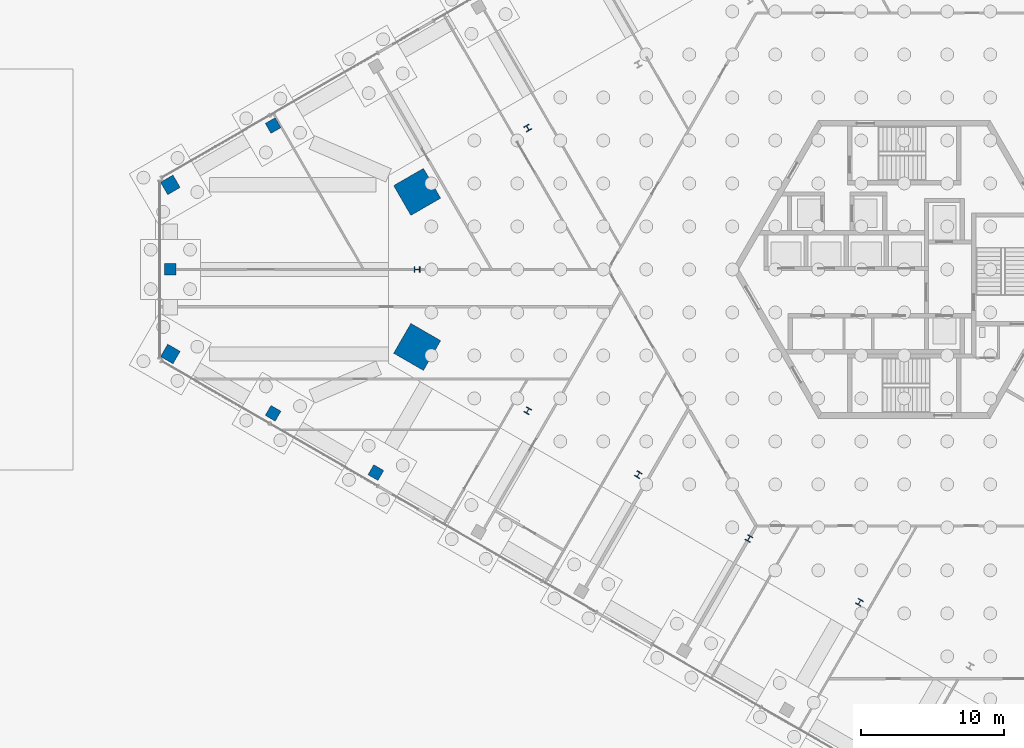
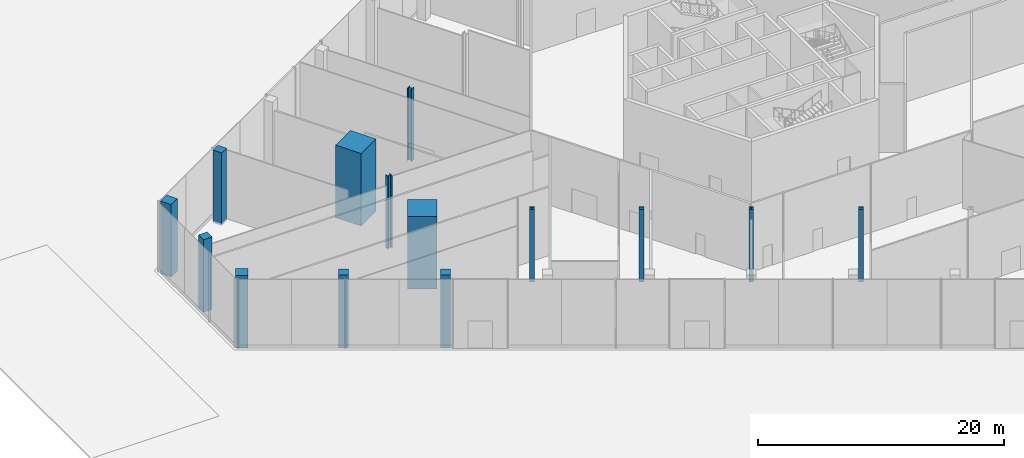
# One storey, part 4 of 27: 14 columns.
"""IFC4 building model written with IfcOpenShell, lengths in metres."""

from ifc_helpers import new_model, si_unit, direction, frame, origin, origin_2d, place, context, subcontext, project, spatial, rectangle, i_section, extrude, source, transform, mapped, material, material_profile, profile_set, type_object, element, save


model = new_model("IFC4")

# Units and contexts
model_context = context("Model", 3, precision=1e-05, world=origin(), true_north=direction((0.0, 1.0)))
body_context = subcontext(model_context, "Body", "Model", "MODEL_VIEW")
ifc_project = project(units=[si_unit("LENGTHUNIT", "METRE"), si_unit("AREAUNIT", "SQUARE_METRE"), si_unit("VOLUMEUNIT", "CUBIC_METRE"), si_unit("PLANEANGLEUNIT", "RADIAN"), si_unit("MASSUNIT", "GRAM", prefix="KILO")], contexts=[model_context])

# Site, building, storey
site_placement = place(None, origin())
site = spatial("IfcSite", under=ifc_project, at=site_placement, CompositionType="ELEMENT")
building_placement = place(site_placement, origin())
building = spatial("IfcBuilding", under=site, at=building_placement, Name="Triune Harvest Tower", CompositionType="ELEMENT")
storey_placement = place(building_placement, origin())
storey = spatial("IfcBuildingStorey", under=building, at=storey_placement, Name="L00", CompositionType="ELEMENT", Elevation=0.0)

# Columns
ifc_material_1 = material(Name="Concrete 70 MPa", Category="concrete")
ifc_material_profile_1 = material_profile(ifc_material_1, rectangle(XDim=2.39990234375, YDim=2.39990234375, at=origin_2d()), Name="Composite 2400x2400")
ifc_profile_set_1 = profile_set([ifc_material_profile_1], Name="Concrete 70 MPa")
column_type_1 = type_object("IfcColumnType", Name="MC-1 Mega column Composite 2400x2400", PredefinedType="COLUMN", material=ifc_profile_set_1)
shared_shape_1 = source(origin(), body_context, "Body", "SweptSolid", [
    extrude(rectangle(XDim=2.39990234375, YDim=2.39990234375, at=origin_2d()), origin(), (0.0, 0.0, 1.0), 7.199951171875),
])
for number, where, z_axis, x_axis, name in (
    (1, (-33.988525390625, 5.409912109375, -0.199951171875), (0.0, 0.0, 1.0), (-0.866025403784, -0.5, 0.0), "col/L00/M14"),
    (2, (-33.988525390625, -5.409912109375, -0.199951171875), (0.0, 0.0, 1.0), (0.866025403784, -0.5, 0.0), "col/L00/M16"),
):
    element("IfcColumn", number, at=place(storey_placement, frame(where, z_axis=z_axis, x_axis=x_axis)), inside=storey, type_object=column_type_1, Name=name, PredefinedType="COLUMN", context=body_context, shape_type="MappedRepresentation", body=[
        mapped(shared_shape_1, transform((0.0, 0.0, 0.0), scale=1.0)),
    ])
ifc_material_2 = material(Name="Steel ASTM A992 Gr 50", Category="steel")
ifc_material_profile_2 = material_profile(ifc_material_2, i_section(OverallWidth=0.40380859375, OverallDepth=0.406494140625, WebThickness=0.027099609375, FlangeThickness=0.043701171875, at=origin_2d()), Name="W14x233")
ifc_profile_set_2 = profile_set([ifc_material_profile_2], Name="Steel ASTM A992 Gr 50")
column_type_2 = type_object("IfcColumnType", Name="PC-1 Perimeter column W14x233", PredefinedType="COLUMN", material=ifc_profile_set_2)
shared_shape_2 = source(origin(), body_context, "Body", "SweptSolid", [
    extrude(i_section(OverallWidth=0.40380859375, OverallDepth=0.406494140625, WebThickness=0.027099609375, FlangeThickness=0.043701171875, at=origin_2d()), origin(), (0.0, 0.0, 1.0), 7.199951171875),
])
for number, where, z_axis, x_axis, name in (
    (3, (-26.272216796875, 9.864990234375, -0.199951171875), (0.0, 0.0, 1.0), (-0.866025403784, -0.5, 0.0), "col/L00/P13"),
    (4, (-33.988525390625, 0.0, -0.199951171875), (0.0, 0.0, 1.0), (0.0, -1.0, 0.0), "col/L00/P15"),
    (5, (-26.272216796875, -9.864990234375, -0.199951171875), (0.0, 0.0, 1.0), (0.866025403784, -0.5, 0.0), "col/L00/P17"),
    (6, (-18.555908203125, -14.320068359375, -0.199951171875), (0.0, 0.0, 1.0), (0.866025403784, -0.5, 0.0), "col/L00/P18"),
    (7, (-10.839599609375, -18.77490234375, -0.199951171875), (0.0, 0.0, 1.0), (0.866025403784, -0.5, 0.0), "col/L00/P19"),
    (8, (-3.12353515625, -23.22998046875, -0.199951171875), (0.0, 0.0, 1.0), (0.866025403784, -0.5, 0.0), "col/L00/P20"),
):
    element("IfcColumn", number, at=place(storey_placement, frame(where, z_axis=z_axis, x_axis=x_axis)), inside=storey, type_object=column_type_2, Name=name, PredefinedType="COLUMN", context=body_context, shape_type="MappedRepresentation", body=[
        mapped(shared_shape_2, transform((0.0, 0.0, 0.0), scale=1.0)),
    ])
ifc_material_3 = material(Name="Concrete 50 MPa", Category="concrete")
ifc_material_profile_3 = material_profile(ifc_material_3, rectangle(XDim=1.0, YDim=1.0, at=origin_2d()), Name="Concrete 1000x1000")
ifc_profile_set_3 = profile_set([ifc_material_profile_3], Name="Concrete 50 MPa")
column_type_3 = type_object("IfcColumnType", Name="PD-1 Podium column Concrete 1000x1000", PredefinedType="COLUMN", material=ifc_profile_set_3)
shared_shape_3 = source(origin(), body_context, "Body", "SweptSolid", [
    extrude(rectangle(XDim=1.0, YDim=1.0, at=origin_2d()), origin(), (0.0, 0.0, 1.0), 7.199951171875),
])
for number, where, z_axis, x_axis, name in (
    (9, (-51.2109375, 5.89990234375, -0.199951171875), (0.0, 0.0, 1.0), (-0.866025403784, -0.5, 0.0), "col/L00/D22"),
    (10, (-51.2109375, -5.89990234375, -0.199951171875), (0.0, 0.0, 1.0), (0.866025403784, -0.5, 0.0), "col/L00/D24"),
):
    element("IfcColumn", number, at=place(storey_placement, frame(where, z_axis=z_axis, x_axis=x_axis)), inside=storey, type_object=column_type_3, Name=name, PredefinedType="COLUMN", context=body_context, shape_type="MappedRepresentation", body=[
        mapped(shared_shape_3, transform((0.0, 0.0, 0.0), scale=1.0)),
    ])
ifc_material_4 = material(Name="Concrete 50 MPa", Category="concrete")
ifc_material_profile_4 = material_profile(ifc_material_4, rectangle(XDim=0.800048828125, YDim=0.800048828125, at=origin_2d()), Name="Concrete 800x800")
ifc_profile_set_4 = profile_set([ifc_material_profile_4], Name="Concrete 50 MPa")
column_type_4 = type_object("IfcColumnType", Name="PD-2 Podium column Concrete 800x800", PredefinedType="COLUMN", material=ifc_profile_set_4)
shared_shape_4 = source(origin(), body_context, "Body", "SweptSolid", [
    extrude(rectangle(XDim=0.800048828125, YDim=0.800048828125, at=origin_2d()), origin(), (0.0, 0.0, 1.0), 7.199951171875),
])
for number, where, z_axis, x_axis, name in (
    (11, (-44.040283203125, 10.0400390625, -0.199951171875), (0.0, 0.0, 1.0), (-0.866025403784, -0.5, 0.0), "col/L00/D21"),
    (12, (-51.2109375, 0.0, -0.199951171875), (0.0, 0.0, 1.0), (0.0, -1.0, 0.0), "col/L00/D23"),
    (13, (-44.040283203125, -10.0400390625, -0.199951171875), (0.0, 0.0, 1.0), (0.866025403784, -0.5, 0.0), "col/L00/D25"),
    (14, (-36.86962890625, -14.179931640625, -0.199951171875), (0.0, 0.0, 1.0), (0.866025403784, -0.5, 0.0), "col/L00/D26"),
):
    element("IfcColumn", number, at=place(storey_placement, frame(where, z_axis=z_axis, x_axis=x_axis)), inside=storey, type_object=column_type_4, Name=name, PredefinedType="COLUMN", context=body_context, shape_type="MappedRepresentation", body=[
        mapped(shared_shape_4, transform((0.0, 0.0, 0.0), scale=1.0)),
    ])

save(model, "model.ifc")
